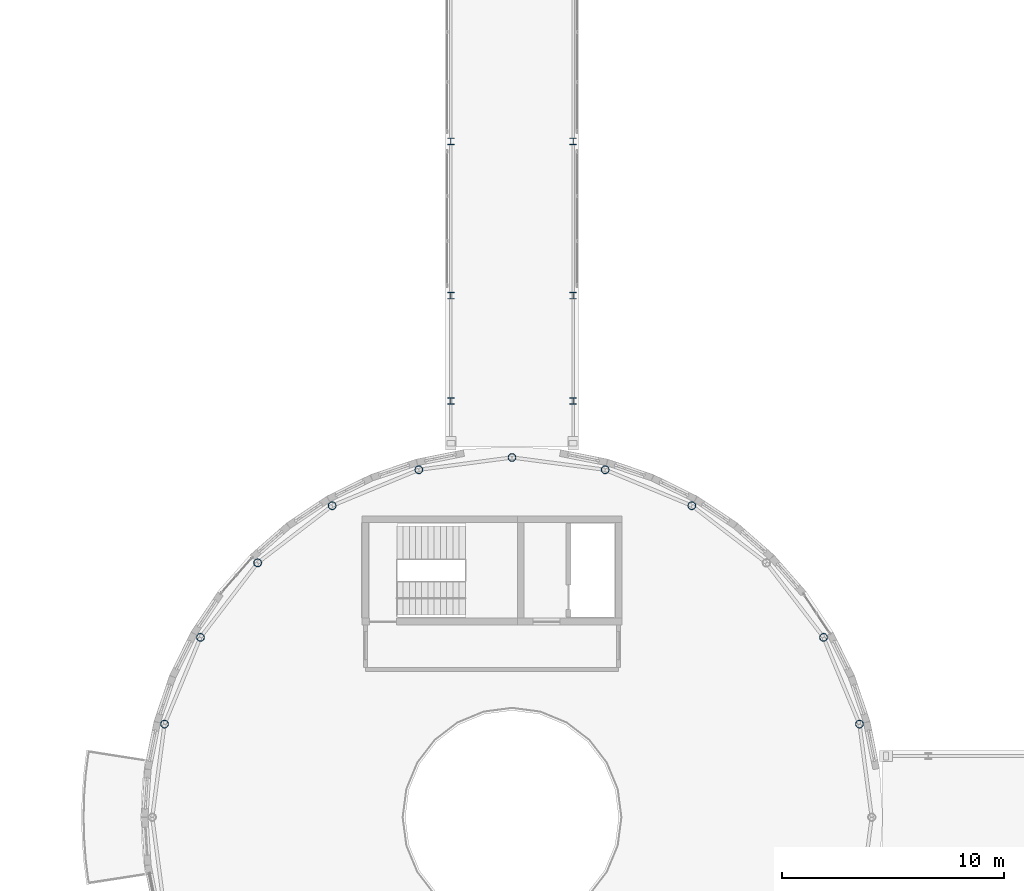
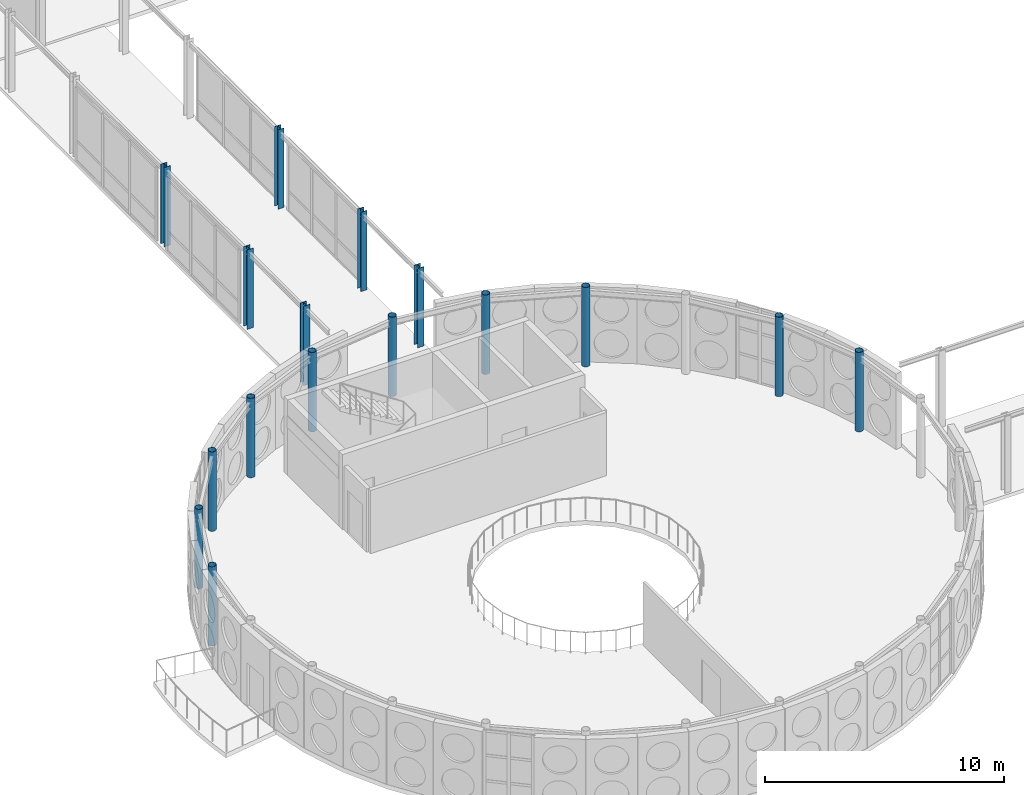
# One storey, part 7 of 165: 16 columns.
"""IFC4 building model written with IfcOpenShell, lengths in metres."""

from ifc_helpers import new_model, si_unit, direction, frame, origin, origin_2d, place, context, subcontext, project, spatial, hollow_circle, i_section, extrude, material, material_profile, profile_set, type_object, element, save


model = new_model("IFC4")

# Units and contexts
model_context = context("Model", 3, precision=1e-05, world=origin(), true_north=direction((0.0, 1.0)))
body_context = subcontext(model_context, "Body", "Model", "MODEL_VIEW")
ifc_project = project(units=[si_unit("LENGTHUNIT", "METRE"), si_unit("AREAUNIT", "SQUARE_METRE"), si_unit("VOLUMEUNIT", "CUBIC_METRE"), si_unit("PLANEANGLEUNIT", "RADIAN"), si_unit("MASSUNIT", "GRAM", prefix="KILO")], contexts=[model_context])

# Site, building, storey
site_placement = place(None, origin())
site = spatial("IfcSite", under=ifc_project, at=site_placement, CompositionType="ELEMENT")
building_placement = place(site_placement, origin())
building = spatial("IfcBuilding", under=site, at=building_placement, Name="Montecoro Central Library", CompositionType="ELEMENT")
storey_placement = place(building_placement, frame((0.0, 0.0, 5.10009765625)))
storey = spatial("IfcBuildingStorey", under=building, at=storey_placement, Name="L01", CompositionType="ELEMENT", Elevation=5.10009765625)

# Columns
ifc_material_1 = material(Name="Steel S355J2", Category="steel")
ifc_material_profile_1 = material_profile(ifc_material_1, hollow_circle(Radius=0.177734375, WallThickness=0.01611328125, at=origin_2d()), Name="CHS 355.6x16.0")
ifc_profile_set_1 = profile_set([ifc_material_profile_1], Name="Steel S355J2")
column_type_1 = type_object("IfcColumnType", Name="COL-CHS356", PredefinedType="COLUMN", material=ifc_profile_set_1)
for number, where, z_axis, x_axis, name in (
    (1, (107.22900390625, 39.587890625, 0.0), (0.0, 0.0, 1.0), (1.0, 0.0, 0.0), "V1-L01-DCOL-02"),
    (2, (105.612060546875, 43.489990234375, 0.0), (0.0, 0.0, 1.0), (1.0, 0.0, 0.0), "V1-L01-DCOL-03"),
    (3, (99.68994140625, 49.412109375, 0.0), (0.0, 0.0, 1.0), (1.0, 0.0, 0.0), "V1-L01-DCOL-05"),
    (4, (95.7880859375, 51.029052734375, 0.0), (0.0, 0.0, 1.0), (1.0, 0.0, 0.0), "V1-L01-DCOL-06"),
    (5, (91.60009765625, 51.580078125, 0.0), (0.0, 0.0, 1.0), (1.0, 0.0, 0.0), "V1-L01-DCOL-07"),
    (6, (87.412109375, 51.029052734375, 0.0), (0.0, 0.0, 1.0), (1.0, 0.0, 0.0), "V1-L01-DCOL-08"),
    (7, (83.510009765625, 49.412109375, 0.0), (0.0, 0.0, 1.0), (1.0, 0.0, 0.0), "V1-L01-DCOL-09"),
    (8, (80.158935546875, 46.841064453125, 0.0), (0.0, 0.0, 1.0), (1.0, 0.0, 0.0), "V1-L01-DCOL-10"),
    (9, (77.587890625, 43.489990234375, 0.0), (0.0, 0.0, 1.0), (1.0, 0.0, 0.0), "V1-L01-DCOL-11"),
    (10, (75.970947265625, 39.587890625, 0.0), (0.0, 0.0, 1.0), (1.0, 0.0, 0.0), "V1-L01-DCOL-12"),
):
    element("IfcColumn", number, at=place(storey_placement, frame(where, z_axis=z_axis, x_axis=x_axis)), inside=storey, type_object=column_type_1, Name=name, PredefinedType="COLUMN", context=body_context, shape_type="SweptSolid", body=[
        extrude(hollow_circle(Radius=0.177734375, WallThickness=0.01611328125, at=origin_2d()), origin(), (0.0, 0.0, 1.0), 4.054931640625),
    ])
ifc_material_2 = material(Name="Steel S355", Category="steel")
ifc_material_profile_2 = material_profile(ifc_material_2, i_section(OverallWidth=0.300048828125, OverallDepth=0.300048828125, WebThickness=0.010986328125, FlangeThickness=0.01904296875, at=origin_2d()), Name="HEB 300")
ifc_profile_set_2 = profile_set([ifc_material_profile_2], Name="Steel S355")
column_type_2 = type_object("IfcColumnType", Name="COL-HEB300", PredefinedType="COLUMN", material=ifc_profile_set_2)
for number, where, z_axis, x_axis, name in (
    (11, (88.85009765625, 54.1201171875, 0.0), (0.0, 0.0, 1.0), (1.0, 0.0, 0.0), "BR-N-L01-COL-888-541"),
    (12, (94.35009765625, 54.1201171875, 0.0), (0.0, 0.0, 1.0), (1.0, 0.0, 0.0), "BR-N-L01-COL-943-541"),
    (13, (88.85009765625, 58.860107421875, 0.0), (0.0, 0.0, 1.0), (1.0, 0.0, 0.0), "BR-N-L01-COL-888-588"),
    (14, (94.35009765625, 58.860107421875, 0.0), (0.0, 0.0, 1.0), (1.0, 0.0, 0.0), "BR-N-L01-COL-943-588"),
    (15, (88.85009765625, 65.800048828125, 0.0), (0.0, 0.0, 1.0), (1.0, 0.0, 0.0), "BR-N-L01-COL-888-658"),
    (16, (94.35009765625, 65.800048828125, 0.0), (0.0, 0.0, 1.0), (1.0, 0.0, 0.0), "BR-N-L01-COL-943-658"),
):
    element("IfcColumn", number, at=place(storey_placement, frame(where, z_axis=z_axis, x_axis=x_axis)), inside=storey, type_object=column_type_2, Name=name, PredefinedType="COLUMN", context=body_context, shape_type="SweptSolid", body=[
        extrude(i_section(OverallWidth=0.300048828125, OverallDepth=0.300048828125, WebThickness=0.010986328125, FlangeThickness=0.01904296875, at=origin_2d()), origin(), (0.0, 0.0, 1.0), 4.054931640625),
    ])

save(model, "model.ifc")
